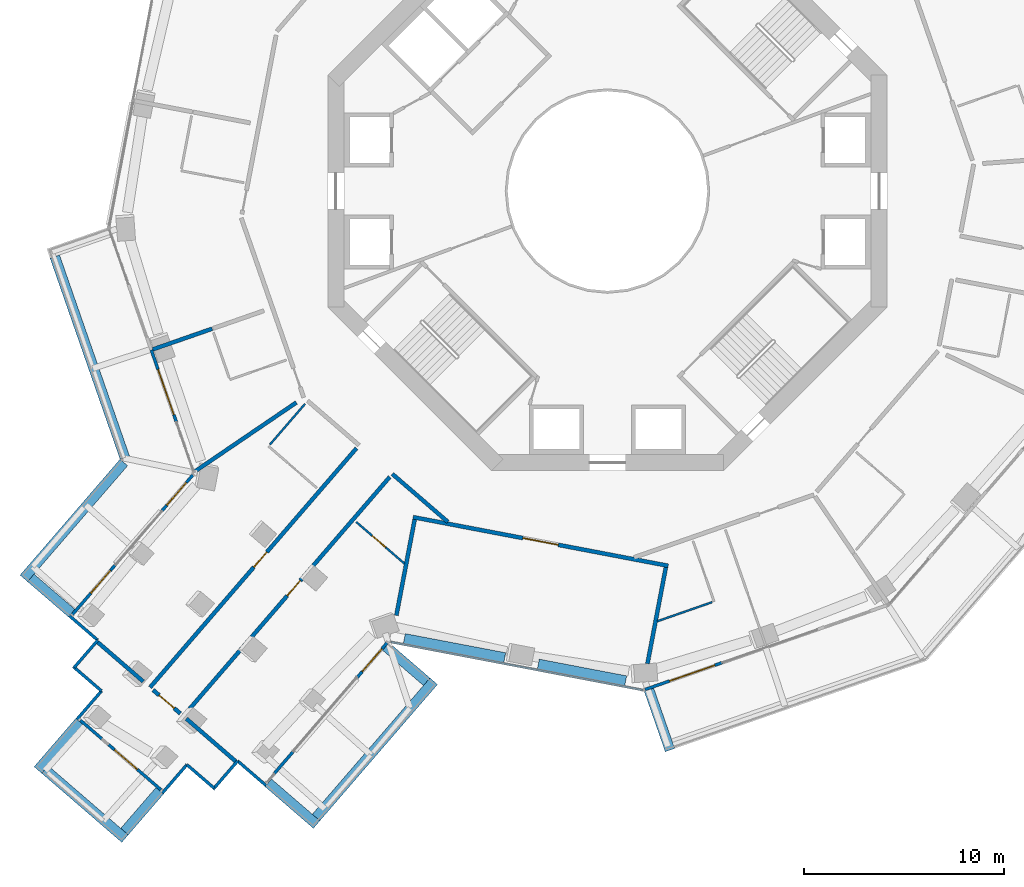
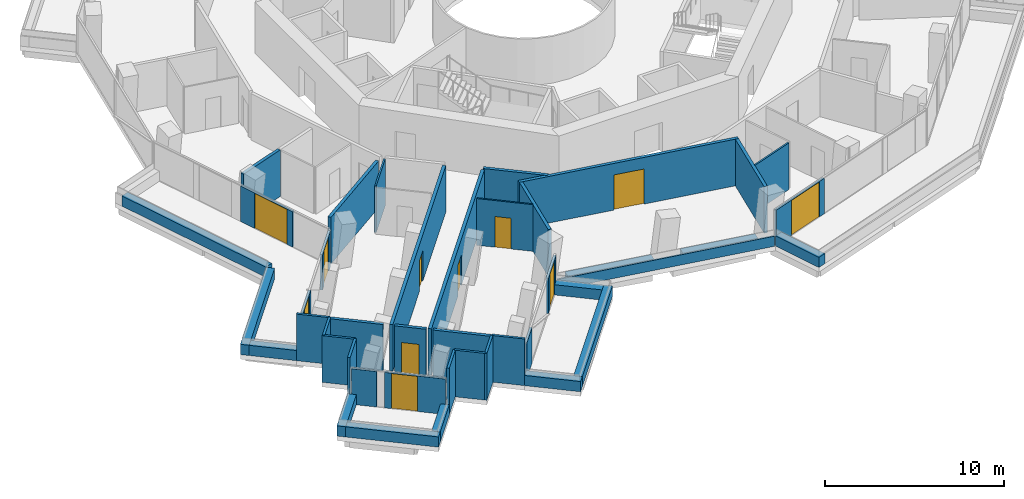
# One storey, part 15 of 23: 43 walls, 11 doors, 11 openings.
"""IFC4 building model written with IfcOpenShell, lengths in metres."""

import ifcopenshell
import ifcopenshell.guid

model = None  # the IFC model being written
_history = None  # IfcOwnerHistory: only IFC2X3 demands one
_inside = {}  # id of a spatial element -> (the spatial element, [elements in it])
_under = {}  # id of a project, library or spatial element -> (it, [spatial elements below it])
_declared = {}  # id of a project -> (the project, [libraries it declares])
_typed = {}  # id of a type object -> (the type object, [elements of that type])
_made_of = {}  # id of a material, layer set ... -> (it, [elements and type objects made of it])


def new_model(schema):
    """Start an empty IFC model of exactly this schema.

    Asked for "IFC4X3", IfcOpenShell would pick the latest addendum, in which some entities
    have other attributes; the version numbers below select the first issue.
    IFC2X3 requires an IfcOwnerHistory on every rooted entity: one is made here for all.
    """
    global model, _history
    if schema == "IFC4X3":
        model = ifcopenshell.file(schema_version=(4, 3, 0, 0))
    else:
        model = ifcopenshell.file(schema=schema)
    _inside.clear()
    _under.clear()
    _declared.clear()
    _typed.clear()
    _made_of.clear()
    _history = None
    if model.schema == "IFC2X3":
        org = make("IfcOrganization", Name="unknown")
        user = make(
            "IfcPersonAndOrganization",
            ThePerson=make("IfcPerson", FamilyName="unknown"),
            TheOrganization=org,
        )
        app = make(
            "IfcApplication",
            ApplicationDeveloper=org,
            Version="unknown",
            ApplicationFullName="unknown",
            ApplicationIdentifier="unknown",
        )
        _history = make(
            "IfcOwnerHistory",
            OwningUser=user,
            OwningApplication=app,
            ChangeAction="ADDED",
            CreationDate=0,
        )
    return model


def make(cls, **values):
    """One entity of the class cls with the attributes given. An attribute that is None is left unset."""
    return model.create_entity(
        cls, **{name: value for name, value in values.items() if value is not None}
    )


def rooted(cls, **values):
    """An entity with a GlobalId (a new one), such as an element, a storey or a relation."""
    return make(cls, GlobalId=ifcopenshell.guid.new(), OwnerHistory=_history, **values)


def si_unit(unit_type, name, prefix=None):
    """IfcSIUnit, for example si_unit("LENGTHUNIT", "METRE", prefix="MILLI")."""
    return make("IfcSIUnit", UnitType=unit_type, Prefix=prefix, Name=name)


def assignment(units):
    """IfcUnitAssignment: the units of a project."""
    return None if units is None else make("IfcUnitAssignment", Units=units)


def point(xyz):
    """IfcCartesianPoint."""
    return None if xyz is None else make("IfcCartesianPoint", Coordinates=xyz)


def direction(xyz):
    """IfcDirection."""
    return None if xyz is None else make("IfcDirection", DirectionRatios=xyz)


def frame(location, z_axis=None, x_axis=None):
    """IfcAxis2Placement3D, a coordinate frame: its origin and axes. An axis left out is left unset."""
    return make(
        "IfcAxis2Placement3D",
        Location=point(location),
        Axis=direction(z_axis),
        RefDirection=direction(x_axis),
    )


def frame_2d(location, x_axis=None):
    """IfcAxis2Placement2D, a coordinate frame in the plane: its origin and x axis."""
    return make(
        "IfcAxis2Placement2D", Location=point(location), RefDirection=direction(x_axis)
    )


def origin():
    """The frame at (0, 0, 0) with its axes left unset."""
    return frame((0.0, 0.0, 0.0))


def place(relative_to, where):
    """IfcLocalPlacement: puts the frame where relative to a parent placement (None: the world)."""
    return make(
        "IfcLocalPlacement", PlacementRelTo=relative_to, RelativePlacement=where
    )


def context(
    kind, dimensions, precision=None, world=None, true_north=None, identifier=None
):
    """IfcGeometricRepresentationContext, for example the 3D "Model" context."""
    return make(
        "IfcGeometricRepresentationContext",
        ContextIdentifier=identifier,
        ContextType=kind,
        CoordinateSpaceDimension=dimensions,
        Precision=precision,
        WorldCoordinateSystem=world,
        TrueNorth=true_north,
    )


def subcontext(parent, identifier, kind, view, scale=None):
    """IfcGeometricRepresentationSubContext, for example "Body" below "Model"."""
    return make(
        "IfcGeometricRepresentationSubContext",
        ContextIdentifier=identifier,
        ContextType=kind,
        ParentContext=parent,
        TargetScale=scale,
        TargetView=view,
    )


def project(units=None, contexts=None):
    """IfcProject with its units and contexts."""
    return rooted(
        "IfcProject",
        Name="project",
        RepresentationContexts=contexts,
        UnitsInContext=assignment(units),
    )


def spatial(cls, under=None, at=None, **own):
    """A site, building, storey or space (cls), placed at a placement, below another one or the project."""
    s = rooted(cls, ObjectPlacement=at, **own)
    if under is not None:
        _under.setdefault(under.id(), (under, []))[1].append(s)
    return s


def profile(cls, at=None, kind="AREA", **sizes):
    """A parametric profile (cls). Its sizes go by their IFC names, for example OverallWidth=200.0."""
    return make(cls, ProfileType=kind, Position=at, **sizes)


def rectangle(**sizes):
    """IfcRectangleProfileDef."""
    return profile("IfcRectangleProfileDef", **sizes)


def extrude(swept, where, along, depth):
    """IfcExtrudedAreaSolid: the profile swept, set in the frame where, extruded along a direction by depth."""
    return make(
        "IfcExtrudedAreaSolid",
        SweptArea=swept,
        Position=where,
        ExtrudedDirection=direction(along),
        Depth=depth,
    )


def shape(context_of_items, identifier, shape_type, items):
    """IfcShapeRepresentation: the items that make up one representation, for example the "Body"."""
    return make(
        "IfcShapeRepresentation",
        ContextOfItems=context_of_items,
        RepresentationIdentifier=identifier,
        RepresentationType=shape_type,
        Items=items,
    )


def material(Name=None, Category=None):
    """IfcMaterial."""
    return make("IfcMaterial", Name=Name, Category=Category)


def layer(
    of_material, thickness, ventilated=None, Name=None, Category=None, Priority=None
):
    """IfcMaterialLayer: one layer of a wall or slab, of a material (None: an air gap)."""
    return make(
        "IfcMaterialLayer",
        Material=of_material,
        LayerThickness=thickness,
        IsVentilated=ventilated,
        Name=Name,
        Category=Category,
        Priority=Priority,
    )


def layer_set(layers, Name=None):
    """IfcMaterialLayerSet."""
    return make("IfcMaterialLayerSet", MaterialLayers=layers, LayerSetName=Name)


def made_of(thing, what):
    """Note that an element or type object is made of a material, layer set ...; save() writes the relation."""
    if what is not None:
        _made_of.setdefault(what.id(), (what, []))[1].append(thing)
    return thing


def type_object(cls, material=None, **own):
    """A type object (cls), such as IfcWallType, which elements share."""
    return made_of(rooted(cls, **own), material)


def element(
    cls,
    number,
    at=None,
    inside=None,
    cuts=None,
    type_object=None,
    material=None,
    context=None,
    identifier="Body",
    shape_type=None,
    held_by="IfcProductDefinitionShape",
    body=None,
    shapes=None,
    **own,
):
    """One element of the class cls, such as IfcWall. Its Tag is "e" and its number.

    at: its placement. inside: the storey or other place that contains it. cuts: it is an
    opening in that element (IfcRelVoidsElement). A single representation is given by context,
    identifier, shape_type and body (its items); several are given by shapes. held_by: the class
    of the entity that holds the representations. save() writes the other relations.
    """
    e = rooted(cls, Tag="e%d" % number, ObjectPlacement=at, **own)
    if body is not None:
        shapes = [shape(context, identifier, shape_type, body)]
    if shapes is not None:
        e.Representation = make(held_by, Representations=shapes)
    if inside is not None:
        _inside.setdefault(inside.id(), (inside, []))[1].append(e)
    if cuts is not None:
        rooted(
            "IfcRelVoidsElement", RelatingBuildingElement=cuts, RelatedOpeningElement=e
        )
    if type_object is not None:
        _typed.setdefault(type_object.id(), (type_object, []))[1].append(e)
    return made_of(e, material)


def fill(opening, filler):
    """IfcRelFillsElement: the door or window that sits in an opening."""
    return rooted(
        "IfcRelFillsElement",
        RelatingOpeningElement=opening,
        RelatedBuildingElement=filler,
    )


def aggregate(whole, parts):
    """IfcRelAggregates: a whole, such as a stair, and the parts it consists of."""
    return rooted("IfcRelAggregates", RelatingObject=whole, RelatedObjects=parts)


def save(model, path):
    """Write the relations noted so far, then the file.

    IfcRelAggregates (storeys below a building ...), IfcRelContainedInSpatialStructure (elements
    in a storey), IfcRelDefinesByType, IfcRelAssociatesMaterial and IfcRelDeclares: one each for
    every whole, place, type object, material and project.
    """
    for whole, parts in _under.values():
        aggregate(whole, parts)
    for where, things in _inside.values():
        rooted(
            "IfcRelContainedInSpatialStructure",
            RelatedElements=things,
            RelatingStructure=where,
        )
    for kind, things in _typed.values():
        rooted("IfcRelDefinesByType", RelatedObjects=things, RelatingType=kind)
    for what, things in _made_of.values():
        rooted("IfcRelAssociatesMaterial", RelatedObjects=things, RelatingMaterial=what)
    for by, libraries in _declared.values():
        rooted("IfcRelDeclares", RelatingContext=by, RelatedDefinitions=libraries)
    model.write(path)


model = new_model("IFC4")

# Units and contexts
model_context = context("Model", 3, precision=1e-05, world=origin(), true_north=direction((0.0, 1.0)))
body_context = subcontext(model_context, "Body", "Model", "MODEL_VIEW")
ifc_project = project(units=[si_unit("LENGTHUNIT", "METRE"), si_unit("AREAUNIT", "SQUARE_METRE"), si_unit("VOLUMEUNIT", "CUBIC_METRE"), si_unit("PLANEANGLEUNIT", "RADIAN"), si_unit("MASSUNIT", "GRAM", prefix="KILO")], contexts=[model_context])

# Site, building, storey
site_placement = place(None, origin())
site = spatial("IfcSite", under=ifc_project, at=site_placement, CompositionType="ELEMENT")
building_placement = place(site_placement, origin())
building = spatial("IfcBuilding", under=site, at=building_placement, Name="Verdalira Terraces Hotel", CompositionType="ELEMENT")
storey_placement = place(building_placement, frame((0.0, 0.0, 111.5)))
storey = spatial("IfcBuildingStorey", under=building, at=storey_placement, Name="L26", CompositionType="ELEMENT", Elevation=111.5)

# Walls
ifc_material_1 = material(Name="Concrete C40", Category="concrete")
ifc_layer_1 = layer(ifc_material_1, 0.5)
ifc_layer_set_1 = layer_set([ifc_layer_1], Name="Balcony planter trough with tree")
wall_type_1 = type_object("IfcWallType", Name="Balcony planter trough with tree", PredefinedType="SOLIDWALL", material=ifc_layer_set_1)
wall_1_placement = place(storey_placement, frame((-27.668213, -3.281738, 0.0), z_axis=(0.0, 0.0, 1.0), x_axis=(0.32888506, -0.944369958, 0.0)))
element("IfcWall", 1, at=wall_1_placement, inside=storey, type_object=wall_type_1, Name="Balcony planter", PredefinedType="SOLIDWALL", context=body_context, shape_type="SweptSolid", body=[
    extrude(rectangle(XDim=10.652344, YDim=0.5, at=frame_2d((5.326172, 0.0))), origin(), (0.0, 0.0, 1.0), 0.699951),
])
wall_2_placement = place(storey_placement, frame((-24.21167, -13.587158, 0.0), z_axis=(0.0, 0.0, 1.0), x_axis=(-0.653420837, -0.756994855, 0.0)))
element("IfcWall", 2, at=wall_2_placement, inside=storey, type_object=wall_type_1, Name="Balcony planter", PredefinedType="SOLIDWALL", context=body_context, shape_type="SweptSolid", body=[
    extrude(rectangle(XDim=7.665527, YDim=0.5, at=frame_2d((3.832764, 0.0))), origin(), (0.0, 0.0, 1.0), 0.699951),
])
wall_3_placement = place(storey_placement, frame((-28.86792, -19.364014, 0.0), z_axis=(0.0, 0.0, 1.0), x_axis=(0.757036532, -0.65337255, 0.0)))
element("IfcWall", 3, at=wall_3_placement, inside=storey, type_object=wall_type_1, Name="Balcony planter", PredefinedType="SOLIDWALL", context=body_context, shape_type="SweptSolid", body=[
    extrude(rectangle(XDim=2.698975, YDim=0.5, at=frame_2d((1.349609, 0.0))), origin(), (0.0, 0.0, 1.0), 0.699951),
])
wall_4_placement = place(storey_placement, frame((-26.425781, -26.559082, 0.0), z_axis=(0.0, 0.0, 1.0), x_axis=(-0.653427115, -0.756989436, 0.0)))
element("IfcWall", 4, at=wall_4_placement, inside=storey, type_object=wall_type_1, Name="Balcony planter", PredefinedType="SOLIDWALL", context=body_context, shape_type="SweptSolid", body=[
    extrude(rectangle(XDim=3.198975, YDim=0.5, at=frame_2d((1.599609, 0.0))), origin(), (0.0, 0.0, 1.0), 0.699951),
])
wall_5_placement = place(storey_placement, frame((-28.163574, -28.954834, 0.0), z_axis=(0.0, 0.0, 1.0), x_axis=(0.757005269, -0.653408771, 0.0)))
element("IfcWall", 5, at=wall_5_placement, inside=storey, type_object=wall_type_1, Name="Balcony planter", PredefinedType="SOLIDWALL", context=body_context, shape_type="SweptSolid", body=[
    extrude(rectangle(XDim=5.300049, YDim=0.5, at=frame_2d((2.649902, 0.0))), origin(), (0.0, 0.0, 1.0), 0.699951),
])
wall_6_placement = place(storey_placement, frame((-24.177246, -32.06543, 0.0), z_axis=(0.0, 0.0, 1.0), x_axis=(0.65337255, 0.757036532, 0.0)))
element("IfcWall", 6, at=wall_6_placement, inside=storey, type_object=wall_type_1, Name="Balcony planter", PredefinedType="SOLIDWALL", context=body_context, shape_type="SweptSolid", body=[
    extrude(rectangle(XDim=2.698975, YDim=0.5, at=frame_2d((1.349609, 0.0))), origin(), (0.0, 0.0, 1.0), 0.699951),
])
wall_7_placement = place(storey_placement, frame((-16.982178, -29.623291, 0.0), z_axis=(0.0, 0.0, 1.0), x_axis=(0.756989436, -0.653427115, 0.0)))
element("IfcWall", 7, at=wall_7_placement, inside=storey, type_object=wall_type_1, Name="Balcony planter", PredefinedType="SOLIDWALL", context=body_context, shape_type="SweptSolid", body=[
    extrude(rectangle(XDim=3.198975, YDim=0.5, at=frame_2d((1.599609, 0.0))), origin(), (0.0, 0.0, 1.0), 0.699951),
])
wall_8_placement = place(storey_placement, frame((-14.586426, -31.361084, 0.0), z_axis=(0.0, 0.0, 1.0), x_axis=(0.653415325, 0.756999613, 0.0)))
element("IfcWall", 8, at=wall_8_placement, inside=storey, type_object=wall_type_1, Name="Balcony planter", PredefinedType="SOLIDWALL", context=body_context, shape_type="SweptSolid", body=[
    extrude(rectangle(XDim=9.012939, YDim=0.5, at=frame_2d((4.506348, 0.0))), origin(), (0.0, 0.0, 1.0), 0.699951),
])
wall_9_placement = place(storey_placement, frame((-9.049805, -24.564209, 0.0), z_axis=(0.0, 0.0, 1.0), x_axis=(-0.75699179, 0.653424387, 0.0)))
element("IfcWall", 9, at=wall_9_placement, inside=storey, type_object=wall_type_1, Name="Balcony planter", PredefinedType="SOLIDWALL", context=body_context, shape_type="SweptSolid", body=[
    extrude(rectangle(XDim=2.699219, YDim=0.5, at=frame_2d((1.349609, 0.0))), origin(), (0.0, 0.0, 1.0), 0.699951),
])
wall_10_placement = place(storey_placement, frame((2.075684, -24.965332, 0.0), z_axis=(0.0, 0.0, 1.0), x_axis=(0.328861017, -0.944378331, 0.0)))
element("IfcWall", 10, at=wall_10_placement, inside=storey, type_object=wall_type_1, Name="Balcony planter", PredefinedType="SOLIDWALL", context=body_context, shape_type="SweptSolid", body=[
    extrude(rectangle(XDim=3.198975, YDim=0.5, at=frame_2d((1.599609, 0.0))), origin(), (0.0, 0.0, 1.0), 0.699951),
])
ifc_material_2 = material(Name="Moisture-resistant gypsum board partition")
ifc_layer_2 = layer(ifc_material_2, 0.10009765625)
ifc_layer_set_2 = layer_set([ifc_layer_2], Name="Bathroom partition 100 mm")
wall_type_2 = type_object("IfcWallType", Name="Bathroom partition 100 mm", PredefinedType="PARTITIONING", material=ifc_layer_set_2)
wall_11_placement = place(storey_placement, frame((-16.905029, -12.697998, 0.0), z_axis=(0.0, 0.0, 1.0), x_axis=(0.653393838, 0.757018158, 0.0)))
element("IfcWall", 11, at=wall_11_placement, inside=storey, type_object=wall_type_2, Name="Bathroom partition", PredefinedType="PARTITIONING", context=body_context, shape_type="SweptSolid", body=[
    extrude(rectangle(XDim=2.699951, YDim=0.100098, at=frame_2d((1.350098, 0.0))), origin(), (0.0, 0.0, 1.0), 3.189941),
])

# Wall, opening, door
wall_12_placement = place(storey_placement, frame((-12.579834, -16.563477, 0.0), z_axis=(0.0, 0.0, 1.0), x_axis=(0.757022018, -0.653389367, 0.0)))
wall_12 = element("IfcWall", 12, at=wall_12_placement, inside=storey, type_object=wall_type_2, Name="Bathroom partition", PredefinedType="PARTITIONING", context=body_context, shape_type="SweptSolid", body=[
    extrude(rectangle(XDim=3.199219, YDim=0.100098, at=frame_2d((1.599609, 0.0))), origin(), (0.0, 0.0, 1.0), 3.189941),
])
opening_1_placement = place(wall_12_placement, frame((1.050049, 0.0, 0.0)))
opening_1 = element("IfcOpeningElement", 13, at=opening_1_placement, cuts=wall_12, Name="Opening L26-116", PredefinedType="OPENING", context=body_context, shape_type="SweptSolid", body=[
    extrude(rectangle(XDim=0.899902, YDim=2.100098, at=frame_2d((0.449951, 1.050049))), frame((0.0, 0.060059, 0.0), z_axis=(0.0, -1.0, 0.0), x_axis=(1.0, 0.0, 0.0)), (0.0, 0.0, 1.0), 0.120117),
])
ifc_material_3 = material(Name="Timber door", Category="wood")
door_type_1 = type_object("IfcDoorType", Name="Bathroom door 900 x 2100", OperationType="NOTDEFINED", PredefinedType="DOOR", material=ifc_material_3)
door_1_placement = place(opening_1_placement, origin())
door_1 = element("IfcDoor", 14, at=door_1_placement, inside=storey, type_object=door_type_1, Name="Bathroom door 2608", OperationType="SINGLE_SWING_RIGHT", OverallHeight=2.10009765625, OverallWidth=0.89990234375, PredefinedType="DOOR", context=body_context, shape_type="SweptSolid", body=[
    extrude(rectangle(XDim=0.899902, YDim=2.100098, at=frame_2d((0.449951, 1.050049))), frame((0.0, 0.024902, 0.0), z_axis=(0.0, -1.0, 0.0), x_axis=(1.0, 0.0, 0.0)), (0.0, 0.0, 1.0), 0.050049),
])
fill(opening_1, door_1)

# Walls
wall_13_placement = place(storey_placement, frame((2.491211, -21.537109, 0.0), z_axis=(0.0, 0.0, 1.0), x_axis=(0.944364387, 0.328901056, 0.0)))
element("IfcWall", 15, at=wall_13_placement, inside=storey, type_object=wall_type_2, Name="Bathroom partition", PredefinedType="PARTITIONING", context=body_context, shape_type="SweptSolid", body=[
    extrude(rectangle(XDim=2.912109, YDim=0.100098, at=frame_2d((1.456055, 0.0))), origin(), (0.0, 0.0, 1.0), 3.189941),
])
ifc_material_4 = material(Name="Fire-rated gypsum board wall")
ifc_layer_3 = layer(ifc_material_4, 0.199951171875)
ifc_layer_set_3 = layer_set([ifc_layer_3], Name="Demising wall 200 mm")
wall_type_3 = type_object("IfcWallType", Name="Demising wall 200 mm", PredefinedType="SOLIDWALL", material=ifc_layer_set_3)
wall_14_placement = place(storey_placement, frame((-25.51123, -22.591553, 0.0), z_axis=(0.0, 0.0, 1.0), x_axis=(0.756996648, -0.653418759, 0.0)))
element("IfcWall", 16, at=wall_14_placement, inside=storey, type_object=wall_type_3, Name="Demising wall", PredefinedType="SOLIDWALL", context=body_context, shape_type="SweptSolid", body=[
    extrude(rectangle(XDim=3.00293, YDim=0.199951, at=frame_2d((1.501465, 0.0))), origin(), (0.0, 0.0, 1.0), 3.189941),
])
wall_15_placement = place(storey_placement, frame((-19.790771, -6.891846, 0.0), z_axis=(0.0, 0.0, 1.0), x_axis=(-0.94436924, -0.328887122, 0.0)))
element("IfcWall", 17, at=wall_15_placement, inside=storey, type_object=wall_type_3, Name="Demising wall", PredefinedType="SOLIDWALL", context=body_context, shape_type="SweptSolid", body=[
    extrude(rectangle(XDim=3.151855, YDim=0.199951, at=frame_2d((1.575928, 0.0))), origin(), (0.0, 0.0, 1.0), 3.189941),
])
wall_16_placement = place(storey_placement, frame((-21.084229, -26.412842, 0.0), z_axis=(0.0, 0.0, 1.0), x_axis=(0.756973225, -0.653445894, 0.0)))
element("IfcWall", 18, at=wall_16_placement, inside=storey, type_object=wall_type_3, Name="Demising wall", PredefinedType="SOLIDWALL", context=body_context, shape_type="SweptSolid", body=[
    extrude(rectangle(XDim=3.251953, YDim=0.199951, at=frame_2d((1.625977, 0.0))), origin(), (0.0, 0.0, 1.0), 3.189941),
])
wall_17_placement = place(storey_placement, frame((-15.575684, -10.585205, 0.0), z_axis=(0.0, 0.0, 1.0), x_axis=(-0.827067918, -0.562102001, 0.0)))
element("IfcWall", 19, at=wall_17_placement, inside=storey, type_object=wall_type_3, Name="Demising wall", PredefinedType="SOLIDWALL", context=body_context, shape_type="SweptSolid", body=[
    extrude(rectangle(XDim=6.131836, YDim=0.199951, at=frame_2d((3.065918, 0.0))), origin(), (0.0, 0.0, 1.0), 3.189941),
])

# Wall, opening, door
ifc_material_5 = material(Name="Fire-rated gypsum board wall")
ifc_layer_4 = layer(ifc_material_5, 0.199951171875)
ifc_layer_set_4 = layer_set([ifc_layer_4], Name="Guest corridor wall 200 mm")
wall_type_4 = type_object("IfcWallType", Name="Guest corridor wall 200 mm", PredefinedType="SOLIDWALL", material=ifc_layer_set_4)
wall_18_placement = place(storey_placement, frame((-21.384033, -26.154053, 0.0), z_axis=(0.0, 0.0, 1.0), x_axis=(-0.757024017, 0.65338705, 0.0)))
wall_18 = element("IfcWall", 20, at=wall_18_placement, inside=storey, type_object=wall_type_4, Name="Guest corridor wall", PredefinedType="SOLIDWALL", context=body_context, shape_type="SweptSolid", body=[
    extrude(rectangle(XDim=1.802246, YDim=0.199951, at=frame_2d((0.901123, 0.0))), origin(), (0.0, 0.0, 1.0), 3.189941),
])
opening_2_placement = place(wall_18_placement, frame((0.399902, 0.0, 0.0)))
opening_2 = element("IfcOpeningElement", 21, at=opening_2_placement, cuts=wall_18, Name="Opening L26-114", PredefinedType="OPENING", context=body_context, shape_type="SweptSolid", body=[
    extrude(rectangle(XDim=1.0, YDim=2.100098, at=frame_2d((0.5, 1.050049))), frame((0.0, 0.109863, 0.0), z_axis=(0.0, -1.0, 0.0), x_axis=(1.0, 0.0, 0.0)), (0.0, 0.0, 1.0), 0.219971),
])
ifc_material_6 = material(Name="Timber door", Category="wood")
door_type_2 = type_object("IfcDoorType", Name="Lounge door 1000 x 2100", OperationType="NOTDEFINED", PredefinedType="DOOR", material=ifc_material_6)
door_2_placement = place(opening_2_placement, origin())
door_2 = element("IfcDoor", 22, at=door_2_placement, inside=storey, type_object=door_type_2, Name="Lounge door 2607", OperationType="SINGLE_SWING_LEFT", OverallHeight=2.10009765625, OverallWidth=1.0, PredefinedType="DOOR", context=body_context, shape_type="SweptSolid", body=[
    extrude(rectangle(XDim=1.0, YDim=2.100098, at=frame_2d((0.5, 1.050049))), frame((0.0, 0.024902, 0.0), z_axis=(0.0, -1.0, 0.0), x_axis=(1.0, 0.0, 0.0)), (0.0, 0.0, 1.0), 0.050049),
])
fill(opening_2, door_2)

wall_19_placement = place(storey_placement, frame((-22.899414, -24.845947, 0.0), z_axis=(0.0, 0.0, 1.0), x_axis=(0.653408006, 0.75700593, 0.0)))
wall_19 = element("IfcWall", 23, at=wall_19_placement, inside=storey, type_object=wall_type_4, Name="Guest corridor wall", PredefinedType="SOLIDWALL", context=body_context, shape_type="SweptSolid", body=[
    extrude(rectangle(XDim=15.812988, YDim=0.199951, at=frame_2d((7.906494, 0.0))), origin(), (0.0, 0.0, 1.0), 3.189941),
])
opening_3_placement = place(wall_19_placement, frame((7.949951, 0.0, 0.0)))
opening_3 = element("IfcOpeningElement", 24, at=opening_3_placement, cuts=wall_19, Name="Opening L26-112", PredefinedType="OPENING", context=body_context, shape_type="SweptSolid", body=[
    extrude(rectangle(XDim=1.0, YDim=2.100098, at=frame_2d((0.5, 1.050049))), frame((0.0, 0.109863, 0.0), z_axis=(0.0, -1.0, 0.0), x_axis=(1.0, 0.0, 0.0)), (0.0, 0.0, 1.0), 0.219971),
])
ifc_material_7 = material(Name="Timber fire door", Category="wood")
door_type_3 = type_object("IfcDoorType", Name="Guest entry door 1000 x 2100", OperationType="NOTDEFINED", PredefinedType="DOOR", material=ifc_material_7)
door_3_placement = place(opening_3_placement, origin())
door_3 = element("IfcDoor", 25, at=door_3_placement, inside=storey, type_object=door_type_3, Name="Guest entry door 2606", OperationType="SINGLE_SWING_LEFT", OverallHeight=2.10009765625, OverallWidth=1.0, PredefinedType="DOOR", context=body_context, shape_type="SweptSolid", body=[
    extrude(rectangle(XDim=1.0, YDim=2.100098, at=frame_2d((0.5, 1.050049))), frame((0.0, 0.024902, 0.0), z_axis=(0.0, -1.0, 0.0), x_axis=(1.0, 0.0, 0.0)), (0.0, 0.0, 1.0), 0.050049),
])
fill(opening_3, door_3)

wall_20_placement = place(storey_placement, frame((-10.901611, -14.313232, 0.0), z_axis=(0.0, 0.0, 1.0), x_axis=(-0.65342449, -0.756991701, 0.0)))
wall_20 = element("IfcWall", 26, at=wall_20_placement, inside=storey, type_object=wall_type_4, Name="Guest corridor wall", PredefinedType="SOLIDWALL", context=body_context, shape_type="SweptSolid", body=[
    extrude(rectangle(XDim=15.812988, YDim=0.199951, at=frame_2d((7.906494, 0.0))), origin(), (0.0, 0.0, 1.0), 3.189941),
])
opening_4_placement = place(wall_20_placement, frame((6.850098, 0.0, 0.0)))
opening_4 = element("IfcOpeningElement", 27, at=opening_4_placement, cuts=wall_20, Name="Opening L26-115", PredefinedType="OPENING", context=body_context, shape_type="SweptSolid", body=[
    extrude(rectangle(XDim=1.0, YDim=2.100098, at=frame_2d((0.5, 1.050049))), frame((0.0, 0.109863, 0.0), z_axis=(0.0, -1.0, 0.0), x_axis=(1.0, 0.0, 0.0)), (0.0, 0.0, 1.0), 0.219971),
])
door_4_placement = place(opening_4_placement, origin())
door_4 = element("IfcDoor", 28, at=door_4_placement, inside=storey, type_object=door_type_3, Name="Guest entry door 2608", OperationType="SINGLE_SWING_RIGHT", OverallHeight=2.10009765625, OverallWidth=1.0, PredefinedType="DOOR", context=body_context, shape_type="SweptSolid", body=[
    extrude(rectangle(XDim=1.0, YDim=2.100098, at=frame_2d((0.5, 1.050049))), frame((0.0, 0.024902, 0.0), z_axis=(0.0, -1.0, 0.0), x_axis=(1.0, 0.0, 0.0)), (0.0, 0.0, 1.0), 0.050049),
])
fill(opening_4, door_4)

# Wall
wall_21_placement = place(storey_placement, frame((-10.770996, -14.161865, 0.0), z_axis=(0.0, 0.0, 1.0), x_axis=(0.757012519, -0.653400372, 0.0)))
element("IfcWall", 29, at=wall_21_placement, inside=storey, type_object=wall_type_4, Name="Guest corridor wall", PredefinedType="SOLIDWALL", context=body_context, shape_type="SweptSolid", body=[
    extrude(rectangle(XDim=3.678223, YDim=0.199951, at=frame_2d((1.839111, 0.0))), origin(), (0.0, 0.0, 1.0), 3.189941),
])

# Wall, opening, door
ifc_material_8 = material(Name="Terracotta cladding", Category="masonry")
ifc_layer_5 = layer(ifc_material_8, 0.199951171875)
ifc_layer_set_5 = layer_set([ifc_layer_5], Name="Loggia back wall 200")
wall_type_5 = type_object("IfcWallType", Name="Loggia back wall 200", PredefinedType="SOLIDWALL", material=ifc_layer_set_5)
wall_22_placement = place(storey_placement, frame((3.038574, -18.76001, 0.0), z_axis=(0.0, 0.0, 1.0), x_axis=(-0.982286256, 0.187386526, 0.0)))
wall_22 = element("IfcWall", 30, at=wall_22_placement, inside=storey, type_object=wall_type_5, Name="Loggia back wall", PredefinedType="SOLIDWALL", context=body_context, shape_type="SweptSolid", body=[
    extrude(rectangle(XDim=13.0, YDim=0.199951, at=frame_2d((6.5, 0.0))), origin(), (0.0, 0.0, 1.0), 3.189941),
])
opening_5_placement = place(wall_22_placement, frame((5.600098, 0.0, 0.0)))
opening_5 = element("IfcOpeningElement", 31, at=opening_5_placement, cuts=wall_22, Name="Opening L26-L01", PredefinedType="OPENING", context=body_context, shape_type="SweptSolid", body=[
    extrude(rectangle(XDim=1.800049, YDim=2.399902, at=frame_2d((0.899902, 1.199951))), frame((0.0, 0.109863, 0.0), z_axis=(0.0, -1.0, 0.0), x_axis=(1.0, 0.0, 0.0)), (0.0, 0.0, 1.0), 0.219971),
])
ifc_material_9 = material(Name="Clear glass", Category="glass")
door_type_4 = type_object("IfcDoorType", Name="Garden double door 1800x2400", OperationType="NOTDEFINED", PredefinedType="DOOR", material=ifc_material_9)
door_5_placement = place(opening_5_placement, origin())
door_5 = element("IfcDoor", 32, at=door_5_placement, inside=storey, type_object=door_type_4, Name="Loggia double door", OperationType="DOUBLE_DOOR_SINGLE_SWING", OverallHeight=2.39990234375, OverallWidth=1.800048828125, PredefinedType="DOOR", context=body_context, shape_type="SweptSolid", body=[
    extrude(rectangle(XDim=1.800049, YDim=2.399902, at=frame_2d((0.899902, 1.199951))), frame((0.0, 0.024902, 0.0), z_axis=(0.0, -1.0, 0.0), x_axis=(1.0, 0.0, 0.0)), (0.0, 0.0, 1.0), 0.050049),
])
fill(opening_5, door_5)

# Walls
wall_23_placement = place(storey_placement, frame((-10.567871, -21.243896, 0.0), z_axis=(0.0, 0.0, 1.0), x_axis=(0.187389724, 0.982285647, 0.0)))
element("IfcWall", 33, at=wall_23_placement, inside=storey, type_object=wall_type_5, Name="Loggia side wall", PredefinedType="SOLIDWALL", context=body_context, shape_type="SweptSolid", body=[
    extrude(rectangle(XDim=4.889648, YDim=0.199951, at=frame_2d((2.444824, 0.0))), origin(), (0.0, 0.0, 1.0), 3.189941),
])
wall_24_placement = place(storey_placement, frame((2.002686, -23.656494, 0.0), z_axis=(0.0, 0.0, 1.0), x_axis=(0.187395784, 0.98228449, 0.0)))
element("IfcWall", 34, at=wall_24_placement, inside=storey, type_object=wall_type_5, Name="Loggia side wall", PredefinedType="SOLIDWALL", context=body_context, shape_type="SweptSolid", body=[
    extrude(rectangle(XDim=4.903809, YDim=0.199951, at=frame_2d((2.451904, 0.0))), origin(), (0.0, 0.0, 1.0), 3.189941),
])
ifc_material_10 = material(Name="Concrete C40", Category="concrete")
ifc_layer_6 = layer(ifc_material_10, 0.5)
ifc_layer_set_6 = layer_set([ifc_layer_6], Name="Loggia planter trough with tree")
wall_type_6 = type_object("IfcWallType", Name="Loggia planter trough with tree", PredefinedType="SOLIDWALL", material=ifc_layer_set_6)
wall_25_placement = place(storey_placement, frame((-10.168945, -22.399658, 0.0), z_axis=(0.0, 0.0, 1.0), x_axis=(0.982287159, -0.187381797, 0.0)))
element("IfcWall", 35, at=wall_25_placement, inside=storey, type_object=wall_type_6, Name="Loggia planter", PredefinedType="SOLIDWALL", context=body_context, shape_type="SweptSolid", body=[
    extrude(rectangle(XDim=5.116455, YDim=0.5, at=frame_2d((2.558105, 0.0))), origin(), (0.0, 0.0, 1.0), 0.699951),
])
wall_26_placement = place(storey_placement, frame((-3.462891, -23.678955, 0.0), z_axis=(0.0, 0.0, 1.0), x_axis=(0.982293441, -0.187348863, 0.0)))
element("IfcWall", 36, at=wall_26_placement, inside=storey, type_object=wall_type_6, Name="Loggia planter", PredefinedType="SOLIDWALL", context=body_context, shape_type="SweptSolid", body=[
    extrude(rectangle(XDim=4.454102, YDim=0.5, at=frame_2d((2.227051, 0.0))), origin(), (0.0, 0.0, 1.0), 0.699951),
])
ifc_material_11 = material(Name="Concrete C40", Category="concrete")
ifc_layer_7 = layer(ifc_material_11, 0.10009765625)
ifc_layer_set_7 = layer_set([ifc_layer_7], Name="Loggia upstand 100")
wall_type_7 = type_object("IfcWallType", Name="Loggia upstand 100", PredefinedType="SOLIDWALL", material=ifc_layer_set_7)
wall_27_placement = place(storey_placement, frame((-10.842529, -22.57666, 0.0), z_axis=(0.0, 0.0, 1.0), x_axis=(0.98229027, -0.187365485, 0.0)))
element("IfcWall", 37, at=wall_27_placement, inside=storey, type_object=wall_type_7, Name="Loggia upstand", PredefinedType="SOLIDWALL", context=body_context, shape_type="SweptSolid", body=[
    extrude(rectangle(XDim=12.839844, YDim=0.100098, at=frame_2d((6.419922, 0.0))), origin(), (0.0, 0.0, 1.0), 0.699951),
])
ifc_material_12 = material(Name="Terracotta cladding", Category="masonry")
ifc_layer_8 = layer(ifc_material_12, 0.14990234375)
ifc_layer_set_8 = layer_set([ifc_layer_8], Name="Terracotta clad wall 150")
wall_type_8 = type_object("IfcWallType", Name="Terracotta clad wall 150", PredefinedType="SOLIDWALL", material=ifc_layer_set_8)
wall_28_placement = place(storey_placement, frame((-26.938232, -21.260742, 0.0), z_axis=(0.0, 0.0, 1.0), x_axis=(0.756972318, -0.653446945, 0.0)))
element("IfcWall", 38, at=wall_28_placement, inside=storey, type_object=wall_type_8, Name="Terracotta cladding wall", PredefinedType="SOLIDWALL", context=body_context, shape_type="SweptSolid", body=[
    extrude(rectangle(XDim=1.874756, YDim=0.149902, at=frame_2d((0.9375, 0.0))), origin(), (0.0, 0.0, 1.0), 3.189941),
])
wall_29_placement = place(storey_placement, frame((-25.519043, -22.48584, 0.0), z_axis=(0.0, 0.0, 1.0), x_axis=(-0.653390291, -0.75702122, 0.0)))
element("IfcWall", 39, at=wall_29_placement, inside=storey, type_object=wall_type_8, Name="Terracotta cladding wall", PredefinedType="SOLIDWALL", context=body_context, shape_type="SweptSolid", body=[
    extrude(rectangle(XDim=1.799805, YDim=0.149902, at=frame_2d((0.899902, 0.0))), origin(), (0.0, 0.0, 1.0), 3.189941),
])
wall_30_placement = place(storey_placement, frame((-26.751953, -23.799316, 0.0), z_axis=(0.0, 0.0, 1.0), x_axis=(0.75696351, -0.653457148, 0.0)))
element("IfcWall", 40, at=wall_30_placement, inside=storey, type_object=wall_type_8, Name="Terracotta cladding wall", PredefinedType="SOLIDWALL", context=body_context, shape_type="SweptSolid", body=[
    extrude(rectangle(XDim=1.875244, YDim=0.149902, at=frame_2d((0.9375, 0.0))), origin(), (0.0, 0.0, 1.0), 3.189941),
])
wall_31_placement = place(storey_placement, frame((-25.33252, -25.024658, 0.0), z_axis=(0.0, 0.0, 1.0), x_axis=(-0.653446945, -0.756972318, 0.0)))
element("IfcWall", 41, at=wall_31_placement, inside=storey, type_object=wall_type_8, Name="Terracotta cladding wall", PredefinedType="SOLIDWALL", context=body_context, shape_type="SweptSolid", body=[
    extrude(rectangle(XDim=1.874756, YDim=0.149902, at=frame_2d((0.9375, 0.0))), origin(), (0.0, 0.0, 1.0), 3.189941),
])
wall_32_placement = place(storey_placement, frame((-22.280762, -30.135742, 0.0), z_axis=(0.0, 0.0, 1.0), x_axis=(0.653457148, 0.75696351, 0.0)))
element("IfcWall", 42, at=wall_32_placement, inside=storey, type_object=wall_type_8, Name="Terracotta cladding wall", PredefinedType="SOLIDWALL", context=body_context, shape_type="SweptSolid", body=[
    extrude(rectangle(XDim=1.875244, YDim=0.149902, at=frame_2d((0.9375, 0.0))), origin(), (0.0, 0.0, 1.0), 3.189941),
])
wall_33_placement = place(storey_placement, frame((-21.05542, -28.716309, 0.0), z_axis=(0.0, 0.0, 1.0), x_axis=(0.756954129, -0.653468015, 0.0)))
element("IfcWall", 43, at=wall_33_placement, inside=storey, type_object=wall_type_8, Name="Terracotta cladding wall", PredefinedType="SOLIDWALL", context=body_context, shape_type="SweptSolid", body=[
    extrude(rectangle(XDim=1.800049, YDim=0.149902, at=frame_2d((0.899902, 0.0))), origin(), (0.0, 0.0, 1.0), 3.189941),
])
for number, where, z_axis, x_axis, name in (
    (44, (-19.741943, -29.949463, 0.0), (0.0, 0.0, 1.0), (0.653382537, 0.757027913, 0.0), "Terracotta cladding wall"),
    (45, (-18.516846, -28.530029, 0.0), (0.0, 0.0, 1.0), (0.757027913, -0.653382537, 0.0), "Terracotta cladding wall"),
):
    element("IfcWall", number, at=place(storey_placement, frame(where, z_axis=z_axis, x_axis=x_axis)), inside=storey, type_object=wall_type_8, Name=name, PredefinedType="SOLIDWALL", context=body_context, shape_type="SweptSolid", body=[
        extrude(rectangle(XDim=1.875, YDim=0.149902, at=frame_2d((0.9375, 0.0))), origin(), (0.0, 0.0, 1.0), 3.189941),
    ])
ifc_material_13 = material(Name="Terracotta cladding", Category="masonry")
ifc_layer_9 = layer(ifc_material_13, 0.14990234375)
ifc_layer_set_9 = layer_set([ifc_layer_9], Name="Terracotta column pier 150")
wall_type_9 = type_object("IfcWallType", Name="Terracotta column pier 150", PredefinedType="SOLIDWALL", material=ifc_layer_set_9)
wall_34_placement = place(storey_placement, frame((-26.391357, -26.488525, 0.0), z_axis=(0.0, 0.0, 1.0), x_axis=(0.757035213, -0.653374078, 0.0)))
element("IfcWall", 46, at=wall_34_placement, inside=storey, type_object=wall_type_9, Name="Terracotta column pier", PredefinedType="SOLIDWALL", context=body_context, shape_type="SweptSolid", body=[
    extrude(rectangle(XDim=1.422607, YDim=0.149902, at=frame_2d((0.711426, 0.0))), origin(), (0.0, 0.0, 1.0), 2.425049),
])
wall_35_placement = place(storey_placement, frame((-16.693604, -29.172363, 0.0), z_axis=(0.0, 0.0, 1.0), x_axis=(0.65348754, 0.756937273, 0.0)))
element("IfcWall", 47, at=wall_35_placement, inside=storey, type_object=wall_type_9, Name="Terracotta column pier", PredefinedType="SOLIDWALL", context=body_context, shape_type="SweptSolid", body=[
    extrude(rectangle(XDim=1.489258, YDim=0.149902, at=frame_2d((0.744629, 0.0))), origin(), (0.0, 0.0, 1.0), 2.425049),
])

# Wall, opening, door
ifc_material_14 = material(Name="Terracotta cladding", Category="masonry")
ifc_layer_10 = layer(ifc_material_14, 0.14990234375)
ifc_layer_set_10 = layer_set([ifc_layer_10], Name="Terracotta door pier 150")
wall_type_10 = type_object("IfcWallType", Name="Terracotta door pier 150", PredefinedType="SOLIDWALL", material=ifc_layer_set_10)
wall_36_placement = place(storey_placement, frame((-22.838135, -7.953125, 0.0), z_axis=(0.0, 0.0, 1.0), x_axis=(0.328841564, -0.944385104, 0.0)))
wall_36 = element("IfcWall", 48, at=wall_36_placement, inside=storey, type_object=wall_type_10, Name="Terracotta door pier", PredefinedType="SOLIDWALL", context=body_context, shape_type="SweptSolid", body=[
    extrude(rectangle(XDim=3.835449, YDim=0.149902, at=frame_2d((1.917725, 0.0))), origin(), (0.0, 0.0, 1.0), 2.425049),
])
opening_6_placement = place(wall_36_placement, frame((1.0354, 0.0, 0.0)))
opening_6 = element("IfcOpeningElement", 49, at=opening_6_placement, cuts=wall_36, Name="Opening L26-B05", PredefinedType="OPENING", context=body_context, shape_type="SweptSolid", body=[
    extrude(rectangle(XDim=2.399902, YDim=2.399902, at=frame_2d((1.199951, 1.199951))), frame((0.0, 0.084961, 0.0), z_axis=(0.0, -1.0, 0.0), x_axis=(1.0, 0.0, 0.0)), (0.0, 0.0, 1.0), 0.169922),
])
ifc_material_15 = material(Name="Clear glass", Category="glass")
door_type_5 = type_object("IfcDoorType", Name="Balcony sliding door 2400x2400", OperationType="NOTDEFINED", PredefinedType="DOOR", material=ifc_material_15)
door_6_placement = place(opening_6_placement, origin())
door_6 = element("IfcDoor", 50, at=door_6_placement, inside=storey, type_object=door_type_5, Name="Balcony sliding door", OperationType="SLIDING_TO_LEFT", OverallHeight=2.39990234375, OverallWidth=2.39990234375, PredefinedType="DOOR", context=body_context, shape_type="SweptSolid", body=[
    extrude(rectangle(XDim=2.399902, YDim=2.399902, at=frame_2d((1.199951, 1.199951))), frame((0.0, 0.024902, 0.0), z_axis=(0.0, -1.0, 0.0), x_axis=(1.0, 0.0, 0.0)), (0.0, 0.0, 1.0), 0.050049),
])
fill(opening_6, door_6)

wall_37_placement = place(storey_placement, frame((-20.760254, -14.218262, 0.0), z_axis=(0.0, 0.0, 1.0), x_axis=(-0.653500362, -0.756926203, 0.0)))
wall_37 = element("IfcWall", 51, at=wall_37_placement, inside=storey, type_object=wall_type_10, Name="Terracotta door pier", PredefinedType="SOLIDWALL", context=body_context, shape_type="SweptSolid", body=[
    extrude(rectangle(XDim=2.393555, YDim=0.149902, at=frame_2d((1.196777, 0.0))), origin(), (0.0, 0.0, 1.0), 2.425049),
])
opening_7_placement = place(wall_37_placement, frame((0.493652, 0.0, 0.0)))
opening_7 = element("IfcOpeningElement", 52, at=opening_7_placement, cuts=wall_37, Name="Opening L26-B06", PredefinedType="OPENING", context=body_context, shape_type="SweptSolid", body=[
    extrude(rectangle(XDim=1.5, YDim=2.399902, at=frame_2d((0.75, 1.199951))), frame((0.0, 0.084961, 0.0), z_axis=(0.0, -1.0, 0.0), x_axis=(1.0, 0.0, 0.0)), (0.0, 0.0, 1.0), 0.169922),
])
ifc_material_16 = material(Name="Clear glass", Category="glass")
door_type_6 = type_object("IfcDoorType", Name="Balcony sliding door 1500x2400", OperationType="NOTDEFINED", PredefinedType="DOOR", material=ifc_material_16)
door_7_placement = place(opening_7_placement, origin())
door_7 = element("IfcDoor", 53, at=door_7_placement, inside=storey, type_object=door_type_6, Name="Balcony sliding door", OperationType="SLIDING_TO_LEFT", OverallHeight=2.39990234375, OverallWidth=1.5, PredefinedType="DOOR", context=body_context, shape_type="SweptSolid", body=[
    extrude(rectangle(XDim=1.5, YDim=2.399902, at=frame_2d((0.75, 1.199951))), frame((0.0, 0.024902, 0.0), z_axis=(0.0, -1.0, 0.0), x_axis=(1.0, 0.0, 0.0)), (0.0, 0.0, 1.0), 0.050049),
])
fill(opening_7, door_7)

wall_38_placement = place(storey_placement, frame((-24.623779, -18.694092, 0.0), z_axis=(0.0, 0.0, 1.0), x_axis=(-0.653435517, -0.756982183, 0.0)))
wall_38 = element("IfcWall", 54, at=wall_38_placement, inside=storey, type_object=wall_type_10, Name="Terracotta door pier", PredefinedType="SOLIDWALL", context=body_context, shape_type="SweptSolid", body=[
    extrude(rectangle(XDim=3.310303, YDim=0.149902, at=frame_2d((1.655273, 0.0))), origin(), (0.0, 0.0, 1.0), 2.425049),
])
opening_8_placement = place(wall_38_placement, frame((0.399902, 0.0, 0.0)))
opening_8 = element("IfcOpeningElement", 55, at=opening_8_placement, cuts=wall_38, Name="Opening L26-B07", PredefinedType="OPENING", context=body_context, shape_type="SweptSolid", body=[
    extrude(rectangle(XDim=1.5, YDim=2.399902, at=frame_2d((0.75, 1.199951))), frame((0.0, 0.084961, 0.0), z_axis=(0.0, -1.0, 0.0), x_axis=(1.0, 0.0, 0.0)), (0.0, 0.0, 1.0), 0.169922),
])
door_8_placement = place(opening_8_placement, origin())
door_8 = element("IfcDoor", 56, at=door_8_placement, inside=storey, type_object=door_type_6, Name="Balcony sliding door", OperationType="SLIDING_TO_RIGHT", OverallHeight=2.39990234375, OverallWidth=1.5, PredefinedType="DOOR", context=body_context, shape_type="SweptSolid", body=[
    extrude(rectangle(XDim=1.5, YDim=2.399902, at=frame_2d((0.75, 1.199951))), frame((0.0, 0.024902, 0.0), z_axis=(0.0, -1.0, 0.0), x_axis=(1.0, 0.0, 0.0)), (0.0, 0.0, 1.0), 0.050049),
])
fill(opening_8, door_8)

wall_39_placement = place(storey_placement, frame((-24.97583, -27.710449, 0.0), z_axis=(0.0, 0.0, 1.0), x_axis=(0.757022299, -0.653389041, 0.0)))
wall_39 = element("IfcWall", 57, at=wall_39_placement, inside=storey, type_object=wall_type_10, Name="Terracotta door pier", PredefinedType="SOLIDWALL", context=body_context, shape_type="SweptSolid", body=[
    extrude(rectangle(XDim=3.470215, YDim=0.149902, at=frame_2d((1.735107, 0.0))), origin(), (0.0, 0.0, 1.0), 2.425049),
])
opening_9_placement = place(wall_39_placement, frame((0.399902, 0.0, 0.0)))
opening_9 = element("IfcOpeningElement", 58, at=opening_9_placement, cuts=wall_39, Name="Opening L26-B08", PredefinedType="OPENING", context=body_context, shape_type="SweptSolid", body=[
    extrude(rectangle(XDim=1.5, YDim=2.399902, at=frame_2d((0.75, 1.199951))), frame((0.0, 0.084961, 0.0), z_axis=(0.0, -1.0, 0.0), x_axis=(1.0, 0.0, 0.0)), (0.0, 0.0, 1.0), 0.169922),
])
door_9_placement = place(opening_9_placement, origin())
door_9 = element("IfcDoor", 59, at=door_9_placement, inside=storey, type_object=door_type_6, Name="Balcony sliding door", OperationType="SLIDING_TO_RIGHT", OverallHeight=2.39990234375, OverallWidth=1.5, PredefinedType="DOOR", context=body_context, shape_type="SweptSolid", body=[
    extrude(rectangle(XDim=1.5, YDim=2.399902, at=frame_2d((0.75, 1.199951))), frame((0.0, 0.024902, 0.0), z_axis=(0.0, -1.0, 0.0), x_axis=(1.0, 0.0, 0.0)), (0.0, 0.0, 1.0), 0.050049),
])
fill(opening_9, door_9)

wall_40_placement = place(storey_placement, frame((-12.535889, -24.355713, 0.0), z_axis=(0.0, 0.0, 1.0), x_axis=(0.653462326, 0.75695904, 0.0)))
wall_40 = element("IfcWall", 60, at=wall_40_placement, inside=storey, type_object=wall_type_10, Name="Terracotta door pier", PredefinedType="SOLIDWALL", context=body_context, shape_type="SweptSolid", body=[
    extrude(rectangle(XDim=2.300049, YDim=0.149902, at=frame_2d((1.149902, 0.0))), origin(), (0.0, 0.0, 1.0), 2.425049),
])
opening_10_placement = place(wall_40_placement, frame((0.399902, 0.0, 0.0)))
opening_10 = element("IfcOpeningElement", 61, at=opening_10_placement, cuts=wall_40, Name="Opening L26-B09", PredefinedType="OPENING", context=body_context, shape_type="SweptSolid", body=[
    extrude(rectangle(XDim=1.5, YDim=2.399902, at=frame_2d((0.75, 1.199951))), frame((0.0, 0.084961, 0.0), z_axis=(0.0, -1.0, 0.0), x_axis=(1.0, 0.0, 0.0)), (0.0, 0.0, 1.0), 0.169922),
])
door_10_placement = place(opening_10_placement, origin())
door_10 = element("IfcDoor", 62, at=door_10_placement, inside=storey, type_object=door_type_6, Name="Balcony sliding door", OperationType="SLIDING_TO_RIGHT", OverallHeight=2.39990234375, OverallWidth=1.5, PredefinedType="DOOR", context=body_context, shape_type="SweptSolid", body=[
    extrude(rectangle(XDim=1.5, YDim=2.399902, at=frame_2d((0.75, 1.199951))), frame((0.0, 0.024902, 0.0), z_axis=(0.0, -1.0, 0.0), x_axis=(1.0, 0.0, 0.0)), (0.0, 0.0, 1.0), 0.050049),
])
fill(opening_10, door_10)

wall_41_placement = place(storey_placement, frame((1.871338, -24.956055, 0.0), z_axis=(0.0, 0.0, 1.0), x_axis=(0.944366835, 0.328894026, 0.0)))
wall_41 = element("IfcWall", 63, at=wall_41_placement, inside=storey, type_object=wall_type_10, Name="Terracotta door pier", PredefinedType="SOLIDWALL", context=body_context, shape_type="SweptSolid", body=[
    extrude(rectangle(XDim=4.10791, YDim=0.149902, at=frame_2d((2.053955, 0.0))), origin(), (0.0, 0.0, 1.0), 2.425049),
])
opening_11_placement = place(wall_41_placement, frame((1.308105, 0.0, 0.0)))
opening_11 = element("IfcOpeningElement", 64, at=opening_11_placement, cuts=wall_41, Name="Opening L26-B10", PredefinedType="OPENING", context=body_context, shape_type="SweptSolid", body=[
    extrude(rectangle(XDim=2.399902, YDim=2.399902, at=frame_2d((1.199951, 1.199951))), frame((0.0, 0.084961, 0.0), z_axis=(0.0, -1.0, 0.0), x_axis=(1.0, 0.0, 0.0)), (0.0, 0.0, 1.0), 0.169922),
])
door_11_placement = place(opening_11_placement, origin())
door_11 = element("IfcDoor", 65, at=door_11_placement, inside=storey, type_object=door_type_5, Name="Balcony sliding door", OperationType="SLIDING_TO_LEFT", OverallHeight=2.39990234375, OverallWidth=2.39990234375, PredefinedType="DOOR", context=body_context, shape_type="SweptSolid", body=[
    extrude(rectangle(XDim=2.399902, YDim=2.399902, at=frame_2d((1.199951, 1.199951))), frame((0.0, 0.024902, 0.0), z_axis=(0.0, -1.0, 0.0), x_axis=(1.0, 0.0, 0.0)), (0.0, 0.0, 1.0), 0.050049),
])
fill(opening_11, door_11)

save(model, "model.ifc")
